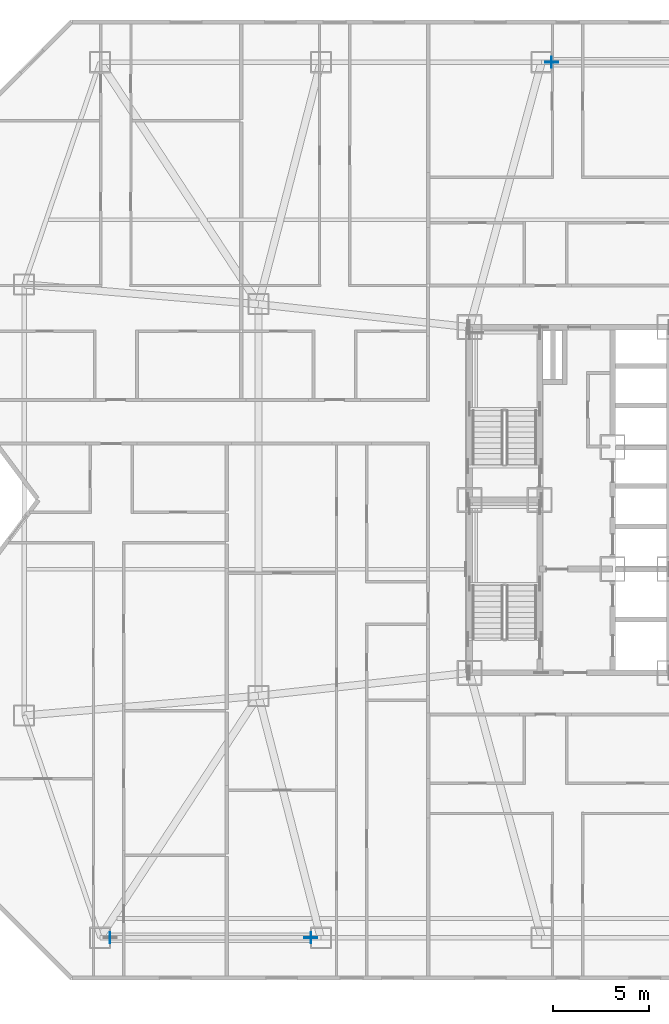
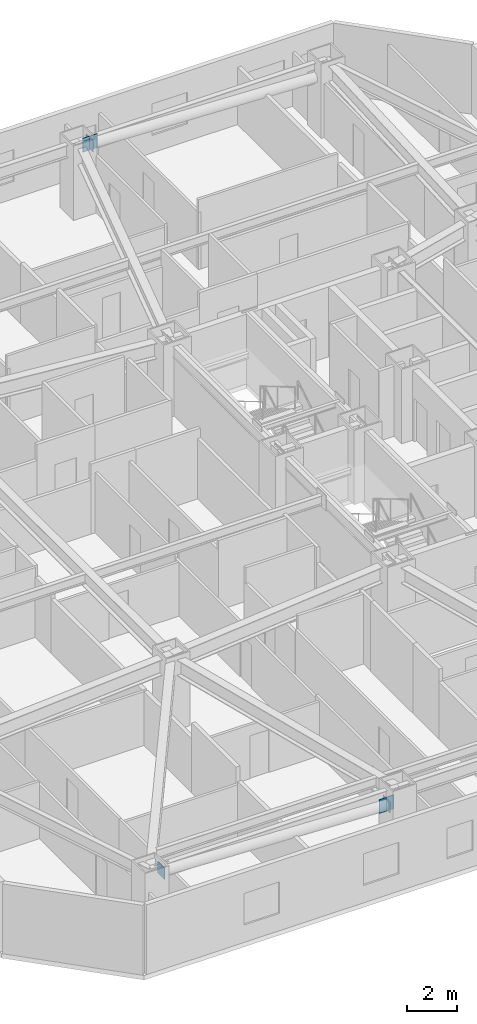
# One storey, part 6 of 16: 5 plates.
"""IFC4 building model written with IfcOpenShell, lengths in metres."""

from ifc_helpers import new_model, si_unit, direction, frame, origin, origin_2d, place, context, subcontext, project, spatial, rectangle, extrude, material, layer, layer_set, type_object, element, save


model = new_model("IFC4")

# Units and contexts
model_context = context("Model", 3, precision=1e-05, world=origin(), true_north=direction((0.0, 1.0)))
body_context = subcontext(model_context, "Body", "Model", "MODEL_VIEW")
ifc_project = project(units=[si_unit("LENGTHUNIT", "METRE"), si_unit("AREAUNIT", "SQUARE_METRE"), si_unit("VOLUMEUNIT", "CUBIC_METRE"), si_unit("PLANEANGLEUNIT", "RADIAN"), si_unit("MASSUNIT", "GRAM", prefix="KILO")], contexts=[model_context])

# Site, building, storey
site_placement = place(None, origin())
site = spatial("IfcSite", under=ifc_project, at=site_placement, CompositionType="ELEMENT")
building_placement = place(site_placement, origin())
building = spatial("IfcBuilding", under=site, at=building_placement, Name="Khamvora Tower", CompositionType="ELEMENT")
storey_placement = place(building_placement, frame((0.0, 0.0, 55.199951171875)))
storey = spatial("IfcBuildingStorey", under=building, at=storey_placement, Name="L13", CompositionType="ELEMENT", Elevation=55.199951171875)

# Plates
ifc_material_1 = material(Name="Steel S355", Category="steel")
ifc_layer_1 = layer(ifc_material_1, 0.02490234375)
ifc_layer_set_1 = layer_set([ifc_layer_1], Name="Steel S355")
plate_type_1 = type_object("IfcPlateType", Name="PL-CAP-25", PredefinedType="SHEET", material=ifc_layer_set_1)
for number, where, z_axis, x_axis, name in (
    (1, (20.73193359375, 5.199951171875, 2.416015625), (0.0, 0.0, 1.0), (-1.0, 0.0, 0.0), "L13 hollow section steel end cap plate 0580"),
    (2, (10.26806640625, 5.199951171875, 2.81787109375), (0.0, 0.0, 1.0), (-1.0, 0.0, 0.0), "L13 hollow section steel end cap plate 0581"),
    (3, (33.26806640625, 50.800048828125, 2.81787109375), (0.0, 0.0, 1.0), (-1.0, 0.0, 0.0), "L13 hollow section steel end cap plate 0583"),
):
    element("IfcPlate", number, at=place(storey_placement, frame(where, z_axis=z_axis, x_axis=x_axis)), inside=storey, type_object=plate_type_1, Name=name, PredefinedType="SHEET", context=body_context, shape_type="SweptSolid", body=[
        extrude(rectangle(XDim=0.02490234375, YDim=0.568115234375, at=origin_2d()), origin(), (0.0, 0.0, 1.0), 0.568115234375),
    ])
ifc_material_2 = material(Name="Steel S460", Category="steel")
ifc_layer_2 = layer(ifc_material_2, 0.0400390625)
ifc_layer_set_2 = layer_set([ifc_layer_2], Name="Steel S460")
plate_type_2 = type_object("IfcPlateType", Name="PLT-GUS-40", PredefinedType="SHEET", material=ifc_layer_set_2)
for number, where, z_axis, x_axis, name in (
    (4, (20.719970703125, 5.199951171875, 2.35986328125), (0.0, 0.0, 1.0), (1.0, 0.0, 0.0), "L13 brace connection node gusset plate 0097"),
    (5, (33.280029296875, 50.800048828125, 2.76220703125), (0.0, 0.0, 1.0), (1.0, 0.0, 0.0), "L13 brace connection node gusset plate 0100"),
):
    element("IfcPlate", number, at=place(storey_placement, frame(where, z_axis=z_axis, x_axis=x_axis)), inside=storey, type_object=plate_type_2, Name=name, PredefinedType="SHEET", context=body_context, shape_type="SweptSolid", body=[
        extrude(rectangle(XDim=0.679931640625, YDim=0.0400390625, at=origin_2d()), origin(), (0.0, 0.0, 1.0), 0.679931640625),
    ])

save(model, "model.ifc")
